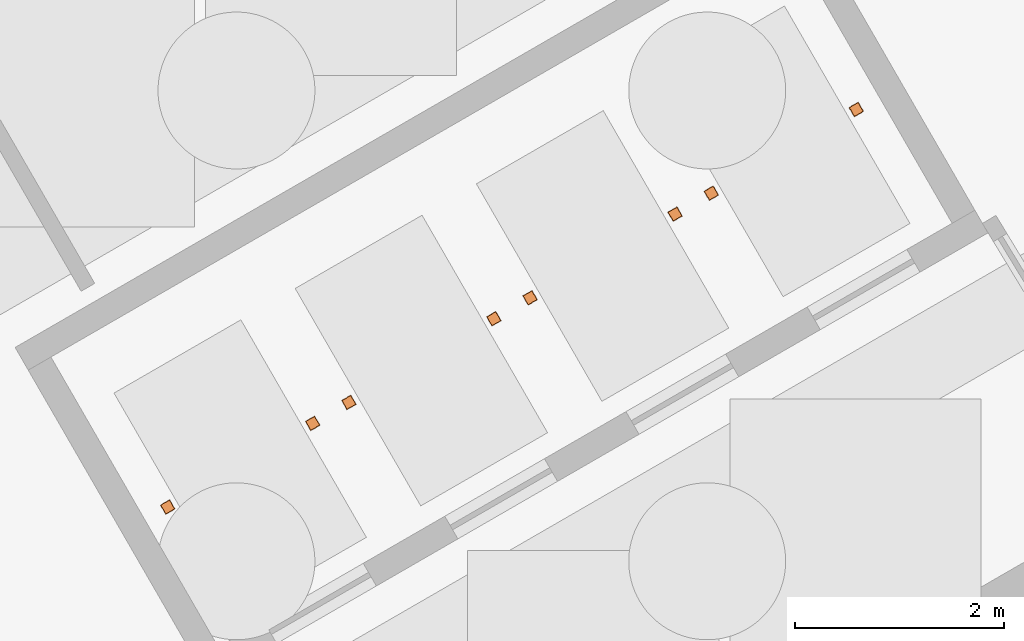
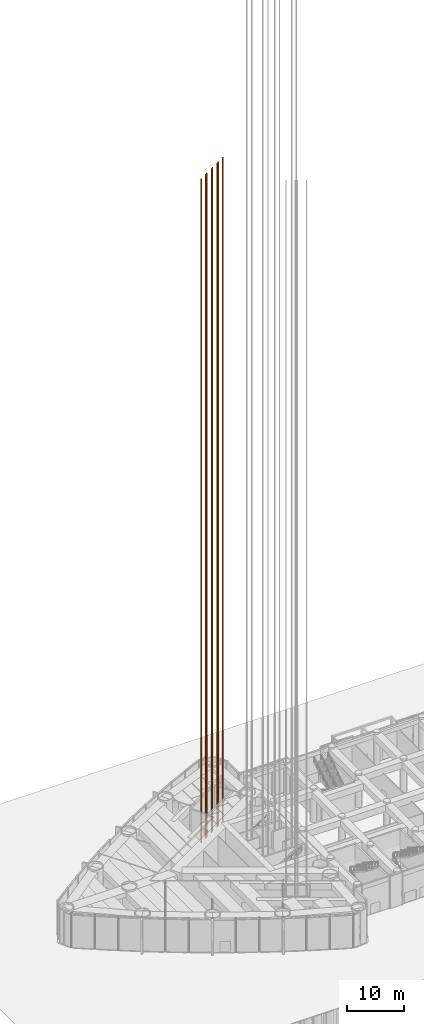
# One storey, part 36 of 43: 4 proxies.
"""IFC4 building model written with IfcOpenShell, lengths in metres."""

from ifc_helpers import new_model, si_unit, direction, frame, origin, origin_2d, place, context, subcontext, project, spatial, rectangle, extrude, material, type_object, element, save


model = new_model("IFC4")

# Units and contexts
model_context = context("Model", 3, precision=1e-05, world=origin(), true_north=direction((0.0, 1.0)))
body_context = subcontext(model_context, "Body", "Model", "MODEL_VIEW")
ifc_project = project(units=[si_unit("LENGTHUNIT", "METRE"), si_unit("AREAUNIT", "SQUARE_METRE"), si_unit("VOLUMEUNIT", "CUBIC_METRE"), si_unit("PLANEANGLEUNIT", "RADIAN"), si_unit("MASSUNIT", "GRAM", prefix="KILO")], contexts=[model_context])

# Site, building, storey
site_placement = place(None, origin())
site = spatial("IfcSite", under=ifc_project, at=site_placement, CompositionType="ELEMENT")
building_placement = place(site_placement, origin())
building = spatial("IfcBuilding", under=site, at=building_placement, Name="Lancet Gate Hotel", CompositionType="ELEMENT")
storey_placement = place(building_placement, origin())
storey = spatial("IfcBuildingStorey", under=building, at=storey_placement, Name="L00", CompositionType="ELEMENT", Elevation=0.0)

# Proxies
ifc_material = material(Name="Steel S355", Category="steel")
building_element_proxy_type = type_object("IfcBuildingElementProxyType", Name="Lift guide rails", PredefinedType="USERDEFINED", material=ifc_material)
for number, where, z_axis, x_axis, name in (
    (1, (-32.89892578125, 17.41845703125, 0.0), (0.0, 0.0, 1.0), (-0.499916865226, 0.866073396349, 0.0), "T1-LR1 guide rails"),
    (2, (-34.631103515625, 16.41845703125, 0.0), (0.0, 0.0, 1.0), (-0.499916865226, 0.866073396349, 0.0), "T1-LR2 guide rails"),
    (3, (-36.363037109375, 15.41845703125, 0.0), (0.0, 0.0, 1.0), (-0.499916865226, 0.866073396349, 0.0), "T1-LR3 guide rails"),
    (4, (-38.094970703125, 14.41845703125, 0.0), (0.0, 0.0, 1.0), (-0.499916865226, 0.866073396349, 0.0), "T1-LR4 guide rails"),
):
    element("IfcBuildingElementProxy", number, at=place(storey_placement, frame(where, z_axis=z_axis, x_axis=x_axis)), inside=storey, type_object=building_element_proxy_type, Name=name, ObjectType="LIFT GUIDE RAILS", PredefinedType="USERDEFINED", context=body_context, shape_type="SweptSolid", body=[
        extrude(rectangle(XDim=0.1, YDim=0.1, at=origin_2d()), frame((0.0, -0.800048828125, 0.0)), (0.0, 0.0, 1.0), 142.60009765625),
        extrude(rectangle(XDim=0.1, YDim=0.1, at=origin_2d()), frame((0.0, 0.800048828125, 0.0)), (0.0, 0.0, 1.0), 142.60009765625),
    ])

save(model, "model.ifc")
